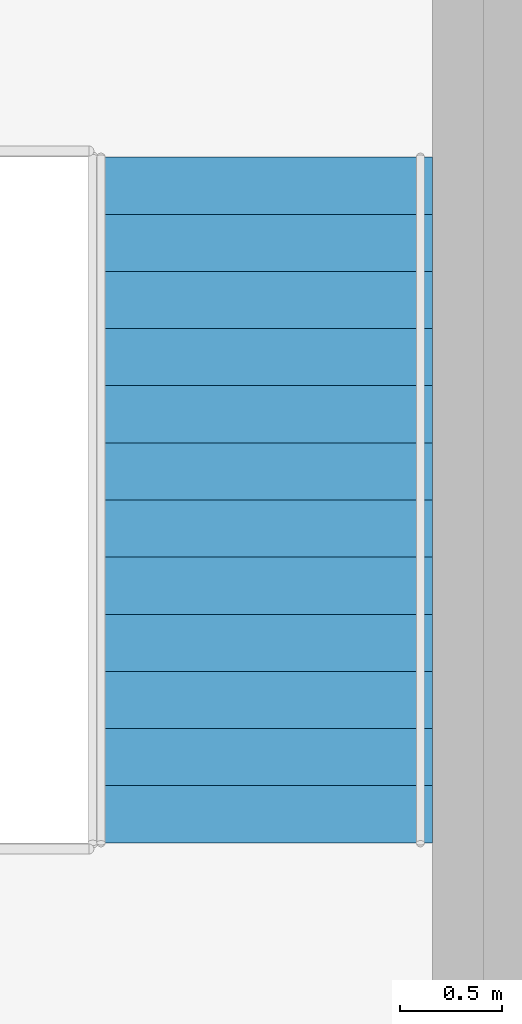
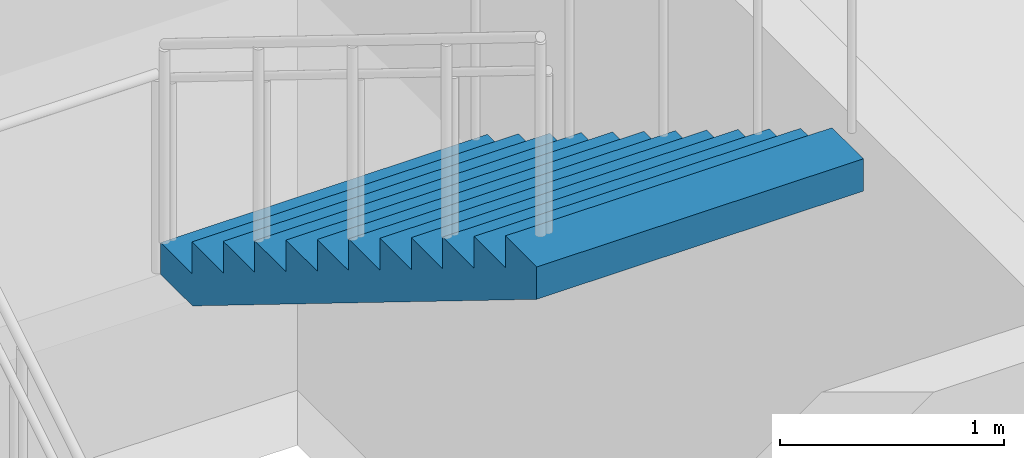
# One storey, part 13 of 16: 1 stair flight, 1 element without a shape of its own.
"""IFC4 building model written with IfcOpenShell, lengths in metres."""

from ifc_helpers import new_model, si_unit, direction, frame, origin, place, context, subcontext, project, spatial, triangles, material, type_object, element, aggregate, save


model = new_model("IFC4")

# Units and contexts
model_context = context("Model", 3, precision=1e-05, world=origin(), true_north=direction((0.0, 1.0)))
body_context = subcontext(model_context, "Body", "Model", "MODEL_VIEW")
ifc_project = project(units=[si_unit("LENGTHUNIT", "METRE"), si_unit("AREAUNIT", "SQUARE_METRE"), si_unit("VOLUMEUNIT", "CUBIC_METRE"), si_unit("PLANEANGLEUNIT", "RADIAN"), si_unit("MASSUNIT", "GRAM", prefix="KILO")], contexts=[model_context])

# Site, building, storey
site_placement = place(None, origin())
site = spatial("IfcSite", under=ifc_project, at=site_placement, CompositionType="ELEMENT")
building_placement = place(site_placement, origin())
building = spatial("IfcBuilding", under=site, at=building_placement, Name="Orbita Commons", CompositionType="ELEMENT")
storey_placement = place(building_placement, frame((0.0, 0.0, -4.5)))
storey = spatial("IfcBuildingStorey", under=building, at=storey_placement, Name="L-01", CompositionType="ELEMENT", Elevation=-4.5)

# Stair, stair flight
ifc_material_1 = material(Name="Precast concrete C40/50", Category="concrete")
stair_type = type_object("IfcStairType", Name="Podium exit stair 2 flights 13 risers 173", PredefinedType="HALF_TURN_STAIR", material=ifc_material_1)
stair_placement = place(storey_placement, origin())
stair = element("IfcStair", 1, at=stair_placement, inside=storey, type_object=stair_type, Name="Podium exit stair PS1 L-01", PredefinedType="HALF_TURN_STAIR")
ifc_material_2 = material(Name="Precast concrete C40/50", Category="concrete")
stair_flight_type = type_object("IfcStairFlightType", Name="Podium stair flight 13 risers 173 x 1685", PredefinedType="STRAIGHT", material=ifc_material_2)
stair_flight_placement = place(storey_placement, frame((10.4326171875, 33.179931640625, 2.25), z_axis=(0.0, 0.0, 1.0), x_axis=(0.0, -1.0, 0.0)))
stair_flight = element("IfcStairFlight", 2, at=stair_flight_placement, type_object=stair_flight_type, Name="PS1 flight 2", NumberOfRisers=13, NumberOfTreads=12, PredefinedType="STRAIGHT", RiserHeight=0.173076923, TreadLength=0.28, context=body_context, shape_type="Tessellation", body=[
    triangles([(0.0, 0.842529, 0.0), (0.0, 0.842529, 0.021635), (0.0, 0.702108, 0.021635), (0.0, 0.702108, 0.0), (0.0, 0.561686, 0.021635), (0.0, 0.561686, 0.0), (0.0, 0.421265, 0.021635), (0.0, 0.421265, 0.0), (0.0, 0.280843, 0.021635), (0.0, 0.280843, 0.0), (0.0, 0.140422, 0.021635), (0.0, 0.140422, 0.0), (0.0, 0.0, 0.021635), (0.0, 0.0, 0.0), (0.0, -0.140422, 0.021635), (0.0, -0.140422, 0.0), (0.0, -0.280843, 0.021635), (0.0, -0.280843, 0.0), (0.0, -0.421265, 0.021635), (0.0, -0.421265, 0.0), (0.0, -0.561686, 0.021635), (0.0, -0.561686, 0.0), (0.0, -0.702108, 0.021635), (0.0, -0.702108, 0.0), (0.0, -0.842529, 0.021635), (0.0, -0.842529, 0.0), (0.0, 0.842529, 0.043269), (0.0, 0.702108, 0.043269), (0.0, 0.561686, 0.043269), (0.0, 0.421265, 0.043269), (0.0, 0.280843, 0.043269), (0.0, 0.140422, 0.043269), (0.0, 0.0, 0.043269), (0.0, -0.140422, 0.043269), (0.0, -0.280843, 0.043269), (0.0, -0.421265, 0.043269), (0.0, -0.561686, 0.043269), (0.0, -0.702108, 0.043269), (0.0, -0.842529, 0.043269), (0.0, 0.842529, 0.064904), (0.0, 0.702108, 0.064904), (0.0, 0.561686, 0.064904), (0.0, 0.421265, 0.064904), (0.0, 0.280843, 0.064904), (0.0, 0.140422, 0.064904), (0.0, 0.0, 0.064904), (0.0, -0.140422, 0.064904), (0.0, -0.280843, 0.064904), (0.0, -0.421265, 0.064904), (0.0, -0.561686, 0.064904), (0.0, -0.702108, 0.064904), (0.0, -0.842529, 0.064904), (0.0, 0.842529, 0.086538), (0.0, 0.702108, 0.086538), (0.0, 0.561686, 0.086538), (0.0, 0.421265, 0.086538), (0.0, 0.280843, 0.086538), (0.0, 0.140422, 0.086538), (0.0, 0.0, 0.086538), (0.0, -0.140422, 0.086538), (0.0, -0.280843, 0.086538), (0.0, -0.421265, 0.086538), (0.0, -0.561686, 0.086538), (0.0, -0.702108, 0.086538), (0.0, -0.842529, 0.086538), (0.0, 0.842529, 0.108173), (0.0, 0.702108, 0.108173), (0.0, 0.561686, 0.108173), (0.0, 0.421265, 0.108173), (0.0, 0.280843, 0.108173), (0.0, 0.140422, 0.108173), (0.0, 0.0, 0.108173), (0.0, -0.140422, 0.108173), (0.0, -0.280843, 0.108173), (0.0, -0.421265, 0.108173), (0.0, -0.561686, 0.108173), (0.0, -0.702108, 0.108173), (0.0, -0.842529, 0.108173), (0.0, 0.842529, 0.129808), (0.0, 0.702108, 0.129808), (0.0, 0.561686, 0.129808), (0.0, 0.421265, 0.129808), (0.0, 0.280843, 0.129808), (0.0, 0.140422, 0.129808), (0.0, 0.0, 0.129808), (0.0, -0.140422, 0.129808), (0.0, -0.280843, 0.129808), (0.0, -0.421265, 0.129808), (0.0, -0.561686, 0.129808), (0.0, -0.702108, 0.129808), (0.0, -0.842529, 0.129808), (0.0, 0.842529, 0.151442), (0.0, 0.702108, 0.151442), (0.0, 0.561686, 0.151442), (0.0, 0.421265, 0.151442), (0.0, 0.280843, 0.151442), (0.0, 0.140422, 0.151442), (0.0, 0.0, 0.151442), (0.0, -0.140422, 0.151442), (0.0, -0.280843, 0.151442), (0.0, -0.421265, 0.151442), (0.0, -0.561686, 0.151442), (0.0, -0.702108, 0.151442), (0.0, -0.842529, 0.151442), (0.0, 0.842529, 0.173077), (0.0, 0.702108, 0.173077), (0.0, 0.561686, 0.173077), (0.0, 0.421265, 0.173077), (0.0, 0.280843, 0.173077), (0.0, 0.140422, 0.173077), (0.0, 0.0, 0.173077), (0.0, -0.140422, 0.173077), (0.0, -0.280843, 0.173077), (0.0, -0.421265, 0.173077), (0.0, -0.561686, 0.173077), (0.0, -0.702108, 0.173077), (0.0, -0.842529, 0.173077), (0.28, 0.842529, 0.173077), (0.28, 0.702108, 0.173077), (0.28, 0.561686, 0.173077), (0.28, 0.421265, 0.173077), (0.28, 0.280843, 0.173077), (0.28, 0.140422, 0.173077), (0.28, 0.0, 0.173077), (0.28, -0.140422, 0.173077), (0.28, -0.280843, 0.173077), (0.28, -0.421265, 0.173077), (0.28, -0.561686, 0.173077), (0.28, -0.702108, 0.173077), (0.28, -0.842529, 0.173077), (0.28, 0.842529, 0.346154), (0.28, 0.702108, 0.346154), (0.28, 0.561686, 0.346154), (0.28, 0.421265, 0.346154), (0.28, 0.280843, 0.346154), (0.28, 0.140422, 0.346154), (0.28, 0.0, 0.346154), (0.28, -0.140422, 0.346154), (0.28, -0.280843, 0.346154), (0.28, -0.421265, 0.346154), (0.28, -0.561686, 0.346154), (0.28, -0.702108, 0.346154), (0.28, -0.842529, 0.346154), (0.56, 0.842529, 0.346154), (0.56, 0.702108, 0.346154), (0.56, 0.561686, 0.346154), (0.56, 0.421265, 0.346154), (0.56, 0.280843, 0.346154), (0.56, 0.140422, 0.346154), (0.56, 0.0, 0.346154), (0.56, -0.140422, 0.346154), (0.56, -0.280843, 0.346154), (0.56, -0.421265, 0.346154), (0.56, -0.561686, 0.346154), (0.56, -0.702108, 0.346154), (0.56, -0.842529, 0.346154), (0.56, 0.842529, 0.519231), (0.56, 0.702108, 0.519231), (0.56, 0.561686, 0.519231), (0.56, 0.421265, 0.519231), (0.56, 0.280843, 0.519231), (0.56, 0.140422, 0.519231), (0.56, 0.0, 0.519231), (0.56, -0.140422, 0.519231), (0.56, -0.280843, 0.519231), (0.56, -0.421265, 0.519231), (0.56, -0.561686, 0.519231), (0.56, -0.702108, 0.519231), (0.56, -0.842529, 0.519231), (0.84, 0.842529, 0.519231), (0.84, 0.702108, 0.519231), (0.84, 0.561686, 0.519231), (0.84, 0.421265, 0.519231), (0.84, 0.280843, 0.519231), (0.84, 0.140422, 0.519231), (0.84, 0.0, 0.519231), (0.84, -0.140422, 0.519231), (0.84, -0.280843, 0.519231), (0.84, -0.421265, 0.519231), (0.84, -0.561686, 0.519231), (0.84, -0.702108, 0.519231), (0.84, -0.842529, 0.519231), (0.84, 0.842529, 0.692308), (0.84, 0.702108, 0.692308), (0.84, 0.561686, 0.692308), (0.84, 0.421265, 0.692308), (0.84, 0.280843, 0.692308), (0.84, 0.140422, 0.692308), (0.84, 0.0, 0.692308), (0.84, -0.140422, 0.692308), (0.84, -0.280843, 0.692308), (0.84, -0.421265, 0.692308), (0.84, -0.561686, 0.692308), (0.84, -0.702108, 0.692308), (0.84, -0.842529, 0.692308), (1.12, 0.842529, 0.692308), (1.12, 0.702108, 0.692308), (1.12, 0.561686, 0.692308), (1.12, 0.421265, 0.692308), (1.12, 0.280843, 0.692308), (1.12, 0.140422, 0.692308), (1.12, 0.0, 0.692308), (1.12, -0.140422, 0.692308), (1.12, -0.280843, 0.692308), (1.12, -0.421265, 0.692308), (1.12, -0.561686, 0.692308), (1.12, -0.702108, 0.692308), (1.12, -0.842529, 0.692308), (1.12, 0.842529, 0.865385), (1.12, 0.702108, 0.865385), (1.12, 0.561686, 0.865385), (1.12, 0.421265, 0.865385), (1.12, 0.280843, 0.865385), (1.12, 0.140422, 0.865385), (1.12, 0.0, 0.865385), (1.12, -0.140422, 0.865385), (1.12, -0.280843, 0.865385), (1.12, -0.421265, 0.865385), (1.12, -0.561686, 0.865385), (1.12, -0.702108, 0.865385), (1.12, -0.842529, 0.865385), (1.4, 0.842529, 0.865385), (1.4, 0.702108, 0.865385), (1.4, 0.561686, 0.865385), (1.4, 0.421265, 0.865385), (1.4, 0.280843, 0.865385), (1.4, 0.140422, 0.865385), (1.4, 0.0, 0.865385), (1.4, -0.140422, 0.865385), (1.4, -0.280843, 0.865385), (1.4, -0.421265, 0.865385), (1.4, -0.561686, 0.865385), (1.4, -0.702108, 0.865385), (1.4, -0.842529, 0.865385), (1.4, 0.842529, 1.038462), (1.4, 0.702108, 1.038462), (1.4, 0.561686, 1.038462), (1.4, 0.421265, 1.038462), (1.4, 0.280843, 1.038462), (1.4, 0.140422, 1.038462), (1.4, 0.0, 1.038462), (1.4, -0.140422, 1.038462), (1.4, -0.280843, 1.038462), (1.4, -0.421265, 1.038462), (1.4, -0.561686, 1.038462), (1.4, -0.702108, 1.038462), (1.4, -0.842529, 1.038462), (1.68, 0.842529, 1.038462), (1.68, 0.702108, 1.038462), (1.68, 0.561686, 1.038462), (1.68, 0.421265, 1.038462), (1.68, 0.280843, 1.038462), (1.68, 0.140422, 1.038462), (1.68, 0.0, 1.038462), (1.68, -0.140422, 1.038462), (1.68, -0.280843, 1.038462), (1.68, -0.421265, 1.038462), (1.68, -0.561686, 1.038462), (1.68, -0.702108, 1.038462), (1.68, -0.842529, 1.038462), (1.68, 0.842529, 1.211538), (1.68, 0.702108, 1.211538), (1.68, 0.561686, 1.211538), (1.68, 0.421265, 1.211538), (1.68, 0.280843, 1.211538), (1.68, 0.140422, 1.211538), (1.68, 0.0, 1.211538), (1.68, -0.140422, 1.211538), (1.68, -0.280843, 1.211538), (1.68, -0.421265, 1.211538), (1.68, -0.561686, 1.211538), (1.68, -0.702108, 1.211538), (1.68, -0.842529, 1.211538), (1.96, 0.842529, 1.211538), (1.96, 0.702108, 1.211538), (1.96, 0.561686, 1.211538), (1.96, 0.421265, 1.211538), (1.96, 0.280843, 1.211538), (1.96, 0.140422, 1.211538), (1.96, 0.0, 1.211538), (1.96, -0.140422, 1.211538), (1.96, -0.280843, 1.211538), (1.96, -0.421265, 1.211538), (1.96, -0.561686, 1.211538), (1.96, -0.702108, 1.211538), (1.96, -0.842529, 1.211538), (1.96, 0.842529, 1.384615), (1.96, 0.702108, 1.384615), (1.96, 0.561686, 1.384615), (1.96, 0.421265, 1.384615), (1.96, 0.280843, 1.384615), (1.96, 0.140422, 1.384615), (1.96, 0.0, 1.384615), (1.96, -0.140422, 1.384615), (1.96, -0.280843, 1.384615), (1.96, -0.421265, 1.384615), (1.96, -0.561686, 1.384615), (1.96, -0.702108, 1.384615), (1.96, -0.842529, 1.384615), (2.24, 0.842529, 1.384615), (2.24, 0.702108, 1.384615), (2.24, 0.561686, 1.384615), (2.24, 0.421265, 1.384615), (2.24, 0.280843, 1.384615), (2.24, 0.140422, 1.384615), (2.24, 0.0, 1.384615), (2.24, -0.140422, 1.384615), (2.24, -0.280843, 1.384615), (2.24, -0.421265, 1.384615), (2.24, -0.561686, 1.384615), (2.24, -0.702108, 1.384615), (2.24, -0.842529, 1.384615), (2.24, 0.842529, 1.557692), (2.24, 0.702108, 1.557692), (2.24, 0.561686, 1.557692), (2.24, 0.421265, 1.557692), (2.24, 0.280843, 1.557692), (2.24, 0.140422, 1.557692), (2.24, 0.0, 1.557692), (2.24, -0.140422, 1.557692), (2.24, -0.280843, 1.557692), (2.24, -0.421265, 1.557692), (2.24, -0.561686, 1.557692), (2.24, -0.702108, 1.557692), (2.24, -0.842529, 1.557692), (2.52, 0.842529, 1.557692), (2.52, 0.702108, 1.557692), (2.52, 0.561686, 1.557692), (2.52, 0.421265, 1.557692), (2.52, 0.280843, 1.557692), (2.52, 0.140422, 1.557692), (2.52, 0.0, 1.557692), (2.52, -0.140422, 1.557692), (2.52, -0.280843, 1.557692), (2.52, -0.421265, 1.557692), (2.52, -0.561686, 1.557692), (2.52, -0.702108, 1.557692), (2.52, -0.842529, 1.557692), (2.52, 0.842529, 1.730769), (2.52, 0.702108, 1.730769), (2.52, 0.561686, 1.730769), (2.52, 0.421265, 1.730769), (2.52, 0.280843, 1.730769), (2.52, 0.140422, 1.730769), (2.52, 0.0, 1.730769), (2.52, -0.140422, 1.730769), (2.52, -0.280843, 1.730769), (2.52, -0.421265, 1.730769), (2.52, -0.561686, 1.730769), (2.52, -0.702108, 1.730769), (2.52, -0.842529, 1.730769), (2.8, 0.842529, 1.730769), (2.8, 0.702108, 1.730769), (2.8, 0.561686, 1.730769), (2.8, 0.421265, 1.730769), (2.8, 0.280843, 1.730769), (2.8, 0.140422, 1.730769), (2.8, 0.0, 1.730769), (2.8, -0.140422, 1.730769), (2.8, -0.280843, 1.730769), (2.8, -0.421265, 1.730769), (2.8, -0.561686, 1.730769), (2.8, -0.702108, 1.730769), (2.8, -0.842529, 1.730769), (2.8, 0.842529, 1.903846), (2.8, 0.702108, 1.903846), (2.8, 0.561686, 1.903846), (2.8, 0.421265, 1.903846), (2.8, 0.280843, 1.903846), (2.8, 0.140422, 1.903846), (2.8, 0.0, 1.903846), (2.8, -0.140422, 1.903846), (2.8, -0.280843, 1.903846), (2.8, -0.421265, 1.903846), (2.8, -0.561686, 1.903846), (2.8, -0.702108, 1.903846), (2.8, -0.842529, 1.903846), (3.08, 0.842529, 1.903846), (3.08, 0.702108, 1.903846), (3.08, 0.561686, 1.903846), (3.08, 0.421265, 1.903846), (3.08, 0.280843, 1.903846), (3.08, 0.140422, 1.903846), (3.08, 0.0, 1.903846), (3.08, -0.140422, 1.903846), (3.08, -0.280843, 1.903846), (3.08, -0.421265, 1.903846), (3.08, -0.561686, 1.903846), (3.08, -0.702108, 1.903846), (3.08, -0.842529, 1.903846), (3.08, 0.842529, 2.076923), (3.08, 0.702108, 2.076923), (3.08, 0.561686, 2.076923), (3.08, 0.421265, 2.076923), (3.08, 0.280843, 2.076923), (3.08, 0.140422, 2.076923), (3.08, 0.0, 2.076923), (3.08, -0.140422, 2.076923), (3.08, -0.280843, 2.076923), (3.08, -0.421265, 2.076923), (3.08, -0.561686, 2.076923), (3.08, -0.702108, 2.076923), (3.08, -0.842529, 2.076923), (3.36, 0.842529, 2.076923), (3.36, 0.702108, 2.076923), (3.36, 0.561686, 2.076923), (3.36, 0.421265, 2.076923), (3.36, 0.280843, 2.076923), (3.36, 0.140422, 2.076923), (3.36, 0.0, 2.076923), (3.36, -0.140422, 2.076923), (3.36, -0.280843, 2.076923), (3.36, -0.421265, 2.076923), (3.36, -0.561686, 2.076923), (3.36, -0.702108, 2.076923), (3.36, -0.842529, 2.076923), (3.36, 0.842529, 2.054895), (3.36, 0.702108, 2.054895), (3.36, 0.561686, 2.054895), (3.36, 0.421265, 2.054895), (3.36, 0.280843, 2.054895), (3.36, 0.140422, 2.054895), (3.36, 0.0, 2.054895), (3.36, -0.140422, 2.054895), (3.36, -0.280843, 2.054895), (3.36, -0.421265, 2.054895), (3.36, -0.561686, 2.054895), (3.36, -0.702108, 2.054895), (3.36, -0.842529, 2.054895), (3.36, 0.842529, 2.032866), (3.36, 0.702108, 2.032866), (3.36, 0.561686, 2.032866), (3.36, 0.421265, 2.032866), (3.36, 0.280843, 2.032866), (3.36, 0.140422, 2.032866), (3.36, 0.0, 2.032866), (3.36, -0.140422, 2.032866), (3.36, -0.280843, 2.032866), (3.36, -0.421265, 2.032866), (3.36, -0.561686, 2.032866), (3.36, -0.702108, 2.032866), (3.36, -0.842529, 2.032866), (3.36, 0.842529, 2.010837), (3.36, 0.702108, 2.010837), (3.36, 0.561686, 2.010837), (3.36, 0.421265, 2.010837), (3.36, 0.280843, 2.010837), (3.36, 0.140422, 2.010837), (3.36, 0.0, 2.010837), (3.36, -0.140422, 2.010837), (3.36, -0.280843, 2.010837), (3.36, -0.421265, 2.010837), (3.36, -0.561686, 2.010837), (3.36, -0.702108, 2.010837), (3.36, -0.842529, 2.010837), (3.36, 0.842529, 1.988809), (3.36, 0.702108, 1.988809), (3.36, 0.561686, 1.988809), (3.36, 0.421265, 1.988809), (3.36, 0.280843, 1.988809), (3.36, 0.140422, 1.988809), (3.36, 0.0, 1.988809), (3.36, -0.140422, 1.988809), (3.36, -0.280843, 1.988809), (3.36, -0.421265, 1.988809), (3.36, -0.561686, 1.988809), (3.36, -0.702108, 1.988809), (3.36, -0.842529, 1.988809), (3.36, 0.842529, 1.96678), (3.36, 0.702108, 1.96678), (3.36, 0.561686, 1.96678), (3.36, 0.421265, 1.96678), (3.36, 0.280843, 1.96678), (3.36, 0.140422, 1.96678), (3.36, 0.0, 1.96678), (3.36, -0.140422, 1.96678), (3.36, -0.280843, 1.96678), (3.36, -0.421265, 1.96678), (3.36, -0.561686, 1.96678), (3.36, -0.702108, 1.96678), (3.36, -0.842529, 1.96678), (3.36, 0.842529, 1.944752), (3.36, 0.702108, 1.944752), (3.36, 0.561686, 1.944752), (3.36, 0.421265, 1.944752), (3.36, 0.280843, 1.944752), (3.36, 0.140422, 1.944752), (3.36, 0.0, 1.944752), (3.36, -0.140422, 1.944752), (3.36, -0.280843, 1.944752), (3.36, -0.421265, 1.944752), (3.36, -0.561686, 1.944752), (3.36, -0.702108, 1.944752), (3.36, -0.842529, 1.944752), (3.36, 0.842529, 1.922723), (3.36, 0.702108, 1.922723), (3.36, 0.561686, 1.922723), (3.36, 0.421265, 1.922723), (3.36, 0.280843, 1.922723), (3.36, 0.140422, 1.922723), (3.36, 0.0, 1.922723), (3.36, -0.140422, 1.922723), (3.36, -0.280843, 1.922723), (3.36, -0.421265, 1.922723), (3.36, -0.561686, 1.922723), (3.36, -0.702108, 1.922723), (3.36, -0.842529, 1.922723), (3.36, 0.842529, 1.900695), (3.36, 0.702108, 1.900695), (3.36, 0.561686, 1.900695), (3.36, 0.421265, 1.900695), (3.36, 0.280843, 1.900695), (3.36, 0.140422, 1.900695), (3.36, 0.0, 1.900695), (3.36, -0.140422, 1.900695), (3.36, -0.280843, 1.900695), (3.36, -0.421265, 1.900695), (3.36, -0.561686, 1.900695), (3.36, -0.702108, 1.900695), (3.36, -0.842529, 1.900695), (0.285099, 0.842529, 0.0), (0.285099, 0.702108, 0.0), (0.285099, 0.561686, 0.0), (0.285099, 0.421265, 0.0), (0.285099, 0.280843, 0.0), (0.285099, 0.140422, 0.0), (0.285099, 0.0, 0.0), (0.285099, -0.140422, 0.0), (0.285099, -0.280843, 0.0), (0.285099, -0.421265, 0.0), (0.285099, -0.561686, 0.0), (0.285099, -0.702108, 0.0), (0.285099, -0.842529, 0.0)], [[3, 2, 1], [4, 3, 1], [5, 3, 4], [6, 5, 4], [7, 5, 6], [8, 7, 6], [9, 7, 8], [10, 9, 8], [11, 9, 10], [12, 11, 10], [13, 11, 12], [14, 13, 12], [15, 13, 14], [16, 15, 14], [17, 15, 16], [18, 17, 16], [19, 17, 18], [20, 19, 18], [21, 19, 20], [22, 21, 20], [23, 21, 22], [24, 23, 22], [25, 23, 24], [26, 25, 24], [28, 27, 2], [3, 28, 2], [29, 28, 3], [5, 29, 3], [30, 29, 5], [7, 30, 5], [31, 30, 7], [9, 31, 7], [32, 31, 9], [11, 32, 9], [33, 32, 11], [13, 33, 11], [34, 33, 13], [15, 34, 13], [35, 34, 15], [17, 35, 15], [36, 35, 17], [19, 36, 17], [37, 36, 19], [21, 37, 19], [38, 37, 21], [23, 38, 21], [39, 38, 23], [25, 39, 23], [41, 40, 27], [28, 41, 27], [42, 41, 28], [29, 42, 28], [43, 42, 29], [30, 43, 29], [44, 43, 30], [31, 44, 30], [45, 44, 31], [32, 45, 31], [46, 45, 32], [33, 46, 32], [47, 46, 33], [34, 47, 33], [48, 47, 34], [35, 48, 34], [49, 48, 35], [36, 49, 35], [50, 49, 36], [37, 50, 36], [51, 50, 37], [38, 51, 37], [52, 51, 38], [39, 52, 38], [54, 53, 40], [41, 54, 40], [55, 54, 41], [42, 55, 41], [56, 55, 42], [43, 56, 42], [57, 56, 43], [44, 57, 43], [58, 57, 44], [45, 58, 44], [59, 58, 45], [46, 59, 45], [60, 59, 46], [47, 60, 46], [61, 60, 47], [48, 61, 47], [62, 61, 48], [49, 62, 48], [63, 62, 49], [50, 63, 49], [64, 63, 50], [51, 64, 50], [65, 64, 51], [52, 65, 51], [67, 66, 53], [54, 67, 53], [68, 67, 54], [55, 68, 54], [69, 68, 55], [56, 69, 55], [70, 69, 56], [57, 70, 56], [71, 70, 57], [58, 71, 57], [72, 71, 58], [59, 72, 58], [73, 72, 59], [60, 73, 59], [74, 73, 60], [61, 74, 60], [75, 74, 61], [62, 75, 61], [76, 75, 62], [63, 76, 62], [77, 76, 63], [64, 77, 63], [78, 77, 64], [65, 78, 64], [80, 79, 66], [67, 80, 66], [81, 80, 67], [68, 81, 67], [82, 81, 68], [69, 82, 68], [83, 82, 69], [70, 83, 69], [84, 83, 70], [71, 84, 70], [85, 84, 71], [72, 85, 71], [86, 85, 72], [73, 86, 72], [87, 86, 73], [74, 87, 73], [88, 87, 74], [75, 88, 74], [89, 88, 75], [76, 89, 75], [90, 89, 76], [77, 90, 76], [91, 90, 77], [78, 91, 77], [93, 92, 79], [80, 93, 79], [94, 93, 80], [81, 94, 80], [95, 94, 81], [82, 95, 81], [96, 95, 82], [83, 96, 82], [97, 96, 83], [84, 97, 83], [98, 97, 84], [85, 98, 84], [99, 98, 85], [86, 99, 85], [100, 99, 86], [87, 100, 86], [101, 100, 87], [88, 101, 87], [102, 101, 88], [89, 102, 88], [103, 102, 89], [90, 103, 89], [104, 103, 90], [91, 104, 90], [106, 105, 92], [93, 106, 92], [107, 106, 93], [94, 107, 93], [108, 107, 94], [95, 108, 94], [109, 108, 95], [96, 109, 95], [110, 109, 96], [97, 110, 96], [111, 110, 97], [98, 111, 97], [112, 111, 98], [99, 112, 98], [113, 112, 99], [100, 113, 99], [114, 113, 100], [101, 114, 100], [115, 114, 101], [102, 115, 101], [116, 115, 102], [103, 116, 102], [117, 116, 103], [104, 117, 103], [119, 118, 105], [106, 119, 105], [120, 119, 106], [107, 120, 106], [121, 120, 107], [108, 121, 107], [122, 121, 108], [109, 122, 108], [123, 122, 109], [110, 123, 109], [124, 123, 110], [111, 124, 110], [125, 124, 111], [112, 125, 111], [126, 125, 112], [113, 126, 112], [127, 126, 113], [114, 127, 113], [128, 127, 114], [115, 128, 114], [129, 128, 115], [116, 129, 115], [130, 129, 116], [117, 130, 116], [132, 131, 118], [119, 132, 118], [133, 132, 119], [120, 133, 119], [134, 133, 120], [121, 134, 120], [135, 134, 121], [122, 135, 121], [136, 135, 122], [123, 136, 122], [137, 136, 123], [124, 137, 123], [138, 137, 124], [125, 138, 124], [139, 138, 125], [126, 139, 125], [140, 139, 126], [127, 140, 126], [141, 140, 127], [128, 141, 127], [142, 141, 128], [129, 142, 128], [143, 142, 129], [130, 143, 129], [145, 144, 131], [132, 145, 131], [146, 145, 132], [133, 146, 132], [147, 146, 133], [134, 147, 133], [148, 147, 134], [135, 148, 134], [149, 148, 135], [136, 149, 135], [150, 149, 136], [137, 150, 136], [151, 150, 137], [138, 151, 137], [152, 151, 138], [139, 152, 138], [153, 152, 139], [140, 153, 139], [154, 153, 140], [141, 154, 140], [155, 154, 141], [142, 155, 141], [156, 155, 142], [143, 156, 142], [158, 157, 144], [145, 158, 144], [159, 158, 145], [146, 159, 145], [160, 159, 146], [147, 160, 146], [161, 160, 147], [148, 161, 147], [162, 161, 148], [149, 162, 148], [163, 162, 149], [150, 163, 149], [164, 163, 150], [151, 164, 150], [165, 164, 151], [152, 165, 151], [166, 165, 152], [153, 166, 152], [167, 166, 153], [154, 167, 153], [168, 167, 154], [155, 168, 154], [169, 168, 155], [156, 169, 155], [171, 170, 157], [158, 171, 157], [172, 171, 158], [159, 172, 158], [173, 172, 159], [160, 173, 159], [174, 173, 160], [161, 174, 160], [175, 174, 161], [162, 175, 161], [176, 175, 162], [163, 176, 162], [177, 176, 163], [164, 177, 163], [178, 177, 164], [165, 178, 164], [179, 178, 165], [166, 179, 165], [180, 179, 166], [167, 180, 166], [181, 180, 167], [168, 181, 167], [182, 181, 168], [169, 182, 168], [184, 183, 170], [171, 184, 170], [185, 184, 171], [172, 185, 171], [186, 185, 172], [173, 186, 172], [187, 186, 173], [174, 187, 173], [188, 187, 174], [175, 188, 174], [189, 188, 175], [176, 189, 175], [190, 189, 176], [177, 190, 176], [191, 190, 177], [178, 191, 177], [192, 191, 178], [179, 192, 178], [193, 192, 179], [180, 193, 179], [194, 193, 180], [181, 194, 180], [195, 194, 181], [182, 195, 181], [197, 196, 183], [184, 197, 183], [198, 197, 184], [185, 198, 184], [199, 198, 185], [186, 199, 185], [200, 199, 186], [187, 200, 186], [201, 200, 187], [188, 201, 187], [202, 201, 188], [189, 202, 188], [203, 202, 189], [190, 203, 189], [204, 203, 190], [191, 204, 190], [205, 204, 191], [192, 205, 191], [206, 205, 192], [193, 206, 192], [207, 206, 193], [194, 207, 193], [208, 207, 194], [195, 208, 194], [210, 209, 196], [197, 210, 196], [211, 210, 197], [198, 211, 197], [212, 211, 198], [199, 212, 198], [213, 212, 199], [200, 213, 199], [214, 213, 200], [201, 214, 200], [215, 214, 201], [202, 215, 201], [216, 215, 202], [203, 216, 202], [217, 216, 203], [204, 217, 203], [218, 217, 204], [205, 218, 204], [219, 218, 205], [206, 219, 205], [220, 219, 206], [207, 220, 206], [221, 220, 207], [208, 221, 207], [223, 222, 209], [210, 223, 209], [224, 223, 210], [211, 224, 210], [225, 224, 211], [212, 225, 211], [226, 225, 212], [213, 226, 212], [227, 226, 213], [214, 227, 213], [228, 227, 214], [215, 228, 214], [229, 228, 215], [216, 229, 215], [230, 229, 216], [217, 230, 216], [231, 230, 217], [218, 231, 217], [232, 231, 218], [219, 232, 218], [233, 232, 219], [220, 233, 219], [234, 233, 220], [221, 234, 220], [236, 235, 222], [223, 236, 222], [237, 236, 223], [224, 237, 223], [238, 237, 224], [225, 238, 224], [239, 238, 225], [226, 239, 225], [240, 239, 226], [227, 240, 226], [241, 240, 227], [228, 241, 227], [242, 241, 228], [229, 242, 228], [243, 242, 229], [230, 243, 229], [244, 243, 230], [231, 244, 230], [245, 244, 231], [232, 245, 231], [246, 245, 232], [233, 246, 232], [247, 246, 233], [234, 247, 233], [249, 248, 235], [236, 249, 235], [250, 249, 236], [237, 250, 236], [251, 250, 237], [238, 251, 237], [252, 251, 238], [239, 252, 238], [253, 252, 239], [240, 253, 239], [254, 253, 240], [241, 254, 240], [255, 254, 241], [242, 255, 241], [256, 255, 242], [243, 256, 242], [257, 256, 243], [244, 257, 243], [258, 257, 244], [245, 258, 244], [259, 258, 245], [246, 259, 245], [260, 259, 246], [247, 260, 246], [262, 261, 248], [249, 262, 248], [263, 262, 249], [250, 263, 249], [264, 263, 250], [251, 264, 250], [265, 264, 251], [252, 265, 251], [266, 265, 252], [253, 266, 252], [267, 266, 253], [254, 267, 253], [268, 267, 254], [255, 268, 254], [269, 268, 255], [256, 269, 255], [270, 269, 256], [257, 270, 256], [271, 270, 257], [258, 271, 257], [272, 271, 258], [259, 272, 258], [273, 272, 259], [260, 273, 259], [275, 274, 261], [262, 275, 261], [276, 275, 262], [263, 276, 262], [277, 276, 263], [264, 277, 263], [278, 277, 264], [265, 278, 264], [279, 278, 265], [266, 279, 265], [280, 279, 266], [267, 280, 266], [281, 280, 267], [268, 281, 267], [282, 281, 268], [269, 282, 268], [283, 282, 269], [270, 283, 269], [284, 283, 270], [271, 284, 270], [285, 284, 271], [272, 285, 271], [286, 285, 272], [273, 286, 272], [288, 287, 274], [275, 288, 274], [289, 288, 275], [276, 289, 275], [290, 289, 276], [277, 290, 276], [291, 290, 277], [278, 291, 277], [292, 291, 278], [279, 292, 278], [293, 292, 279], [280, 293, 279], [294, 293, 280], [281, 294, 280], [295, 294, 281], [282, 295, 281], [296, 295, 282], [283, 296, 282], [297, 296, 283], [284, 297, 283], [298, 297, 284], [285, 298, 284], [299, 298, 285], [286, 299, 285], [301, 300, 287], [288, 301, 287], [302, 301, 288], [289, 302, 288], [303, 302, 289], [290, 303, 289], [304, 303, 290], [291, 304, 290], [305, 304, 291], [292, 305, 291], [306, 305, 292], [293, 306, 292], [307, 306, 293], [294, 307, 293], [308, 307, 294], [295, 308, 294], [309, 308, 295], [296, 309, 295], [310, 309, 296], [297, 310, 296], [311, 310, 297], [298, 311, 297], [312, 311, 298], [299, 312, 298], [314, 313, 300], [301, 314, 300], [315, 314, 301], [302, 315, 301], [316, 315, 302], [303, 316, 302], [317, 316, 303], [304, 317, 303], [318, 317, 304], [305, 318, 304], [319, 318, 305], [306, 319, 305], [320, 319, 306], [307, 320, 306], [321, 320, 307], [308, 321, 307], [322, 321, 308], [309, 322, 308], [323, 322, 309], [310, 323, 309], [324, 323, 310], [311, 324, 310], [325, 324, 311], [312, 325, 311], [327, 326, 313], [314, 327, 313], [328, 327, 314], [315, 328, 314], [329, 328, 315], [316, 329, 315], [330, 329, 316], [317, 330, 316], [331, 330, 317], [318, 331, 317], [332, 331, 318], [319, 332, 318], [333, 332, 319], [320, 333, 319], [334, 333, 320], [321, 334, 320], [335, 334, 321], [322, 335, 321], [336, 335, 322], [323, 336, 322], [337, 336, 323], [324, 337, 323], [338, 337, 324], [325, 338, 324], [340, 339, 326], [327, 340, 326], [341, 340, 327], [328, 341, 327], [342, 341, 328], [329, 342, 328], [343, 342, 329], [330, 343, 329], [344, 343, 330], [331, 344, 330], [345, 344, 331], [332, 345, 331], [346, 345, 332], [333, 346, 332], [347, 346, 333], [334, 347, 333], [348, 347, 334], [335, 348, 334], [349, 348, 335], [336, 349, 335], [350, 349, 336], [337, 350, 336], [351, 350, 337], [338, 351, 337], [353, 352, 339], [340, 353, 339], [354, 353, 340], [341, 354, 340], [355, 354, 341], [342, 355, 341], [356, 355, 342], [343, 356, 342], [357, 356, 343], [344, 357, 343], [358, 357, 344], [345, 358, 344], [359, 358, 345], [346, 359, 345], [360, 359, 346], [347, 360, 346], [361, 360, 347], [348, 361, 347], [362, 361, 348], [349, 362, 348], [363, 362, 349], [350, 363, 349], [364, 363, 350], [351, 364, 350], [366, 365, 352], [353, 366, 352], [367, 366, 353], [354, 367, 353], [368, 367, 354], [355, 368, 354], [369, 368, 355], [356, 369, 355], [370, 369, 356], [357, 370, 356], [371, 370, 357], [358, 371, 357], [372, 371, 358], [359, 372, 358], [373, 372, 359], [360, 373, 359], [374, 373, 360], [361, 374, 360], [375, 374, 361], [362, 375, 361], [376, 375, 362], [363, 376, 362], [377, 376, 363], [364, 377, 363], [379, 378, 365], [366, 379, 365], [380, 379, 366], [367, 380, 366], [381, 380, 367], [368, 381, 367], [382, 381, 368], [369, 382, 368], [383, 382, 369], [370, 383, 369], [384, 383, 370], [371, 384, 370], [385, 384, 371], [372, 385, 371], [386, 385, 372], [373, 386, 372], [387, 386, 373], [374, 387, 373], [388, 387, 374], [375, 388, 374], [389, 388, 375], [376, 389, 375], [390, 389, 376], [377, 390, 376], [392, 391, 378], [379, 392, 378], [393, 392, 379], [380, 393, 379], [394, 393, 380], [381, 394, 380], [395, 394, 381], [382, 395, 381], [396, 395, 382], [383, 396, 382], [397, 396, 383], [384, 397, 383], [398, 397, 384], [385, 398, 384], [399, 398, 385], [386, 399, 385], [400, 399, 386], [387, 400, 386], [401, 400, 387], [388, 401, 387], [402, 401, 388], [389, 402, 388], [403, 402, 389], [390, 403, 389], [405, 404, 391], [392, 405, 391], [406, 405, 392], [393, 406, 392], [407, 406, 393], [394, 407, 393], [408, 407, 394], [395, 408, 394], [409, 408, 395], [396, 409, 395], [410, 409, 396], [397, 410, 396], [411, 410, 397], [398, 411, 397], [412, 411, 398], [399, 412, 398], [413, 412, 399], [400, 413, 399], [414, 413, 400], [401, 414, 400], [415, 414, 401], [402, 415, 401], [416, 415, 402], [403, 416, 402], [418, 417, 404], [405, 418, 404], [419, 418, 405], [406, 419, 405], [420, 419, 406], [407, 420, 406], [421, 420, 407], [408, 421, 407], [422, 421, 408], [409, 422, 408], [423, 422, 409], [410, 423, 409], [424, 423, 410], [411, 424, 410], [425, 424, 411], [412, 425, 411], [426, 425, 412], [413, 426, 412], [427, 426, 413], [414, 427, 413], [428, 427, 414], [415, 428, 414], [429, 428, 415], [416, 429, 415], [431, 430, 417], [418, 431, 417], [432, 431, 418], [419, 432, 418], [433, 432, 419], [420, 433, 419], [434, 433, 420], [421, 434, 420], [435, 434, 421], [422, 435, 421], [436, 435, 422], [423, 436, 422], [437, 436, 423], [424, 437, 423], [438, 437, 424], [425, 438, 424], [439, 438, 425], [426, 439, 425], [440, 439, 426], [427, 440, 426], [441, 440, 427], [428, 441, 427], [442, 441, 428], [429, 442, 428], [444, 443, 430], [431, 444, 430], [445, 444, 431], [432, 445, 431], [446, 445, 432], [433, 446, 432], [447, 446, 433], [434, 447, 433], [448, 447, 434], [435, 448, 434], [449, 448, 435], [436, 449, 435], [450, 449, 436], [437, 450, 436], [451, 450, 437], [438, 451, 437], [452, 451, 438], [439, 452, 438], [453, 452, 439], [440, 453, 439], [454, 453, 440], [441, 454, 440], [455, 454, 441], [442, 455, 441], [457, 456, 443], [444, 457, 443], [458, 457, 444], [445, 458, 444], [459, 458, 445], [446, 459, 445], [460, 459, 446], [447, 460, 446], [461, 460, 447], [448, 461, 447], [462, 461, 448], [449, 462, 448], [463, 462, 449], [450, 463, 449], [464, 463, 450], [451, 464, 450], [465, 464, 451], [452, 465, 451], [466, 465, 452], [453, 466, 452], [467, 466, 453], [454, 467, 453], [468, 467, 454], [455, 468, 454], [470, 469, 456], [457, 470, 456], [471, 470, 457], [458, 471, 457], [472, 471, 458], [459, 472, 458], [473, 472, 459], [460, 473, 459], [474, 473, 460], [461, 474, 460], [475, 474, 461], [462, 475, 461], [476, 475, 462], [463, 476, 462], [477, 476, 463], [464, 477, 463], [478, 477, 464], [465, 478, 464], [479, 478, 465], [466, 479, 465], [480, 479, 466], [467, 480, 466], [481, 480, 467], [468, 481, 467], [483, 482, 469], [470, 483, 469], [484, 483, 470], [471, 484, 470], [485, 484, 471], [472, 485, 471], [486, 485, 472], [473, 486, 472], [487, 486, 473], [474, 487, 473], [488, 487, 474], [475, 488, 474], [489, 488, 475], [476, 489, 475], [490, 489, 476], [477, 490, 476], [491, 490, 477], [478, 491, 477], [492, 491, 478], [479, 492, 478], [493, 492, 479], [480, 493, 479], [494, 493, 480], [481, 494, 480], [496, 495, 482], [483, 496, 482], [497, 496, 483], [484, 497, 483], [498, 497, 484], [485, 498, 484], [499, 498, 485], [486, 499, 485], [500, 499, 486], [487, 500, 486], [501, 500, 487], [488, 501, 487], [502, 501, 488], [489, 502, 488], [503, 502, 489], [490, 503, 489], [504, 503, 490], [491, 504, 490], [505, 504, 491], [492, 505, 491], [506, 505, 492], [493, 506, 492], [507, 506, 493], [494, 507, 493], [509, 508, 495], [496, 509, 495], [510, 509, 496], [497, 510, 496], [511, 510, 497], [498, 511, 497], [512, 511, 498], [499, 512, 498], [513, 512, 499], [500, 513, 499], [514, 513, 500], [501, 514, 500], [515, 514, 501], [502, 515, 501], [516, 515, 502], [503, 516, 502], [517, 516, 503], [504, 517, 503], [518, 517, 504], [505, 518, 504], [519, 518, 505], [506, 519, 505], [520, 519, 506], [507, 520, 506], [522, 521, 508], [509, 522, 508], [523, 522, 509], [510, 523, 509], [524, 523, 510], [511, 524, 510], [525, 524, 511], [512, 525, 511], [526, 525, 512], [513, 526, 512], [527, 526, 513], [514, 527, 513], [528, 527, 514], [515, 528, 514], [529, 528, 515], [516, 529, 515], [530, 529, 516], [517, 530, 516], [531, 530, 517], [518, 531, 517], [532, 531, 518], [519, 532, 518], [533, 532, 519], [520, 533, 519], [4, 1, 521], [522, 4, 521], [6, 4, 522], [523, 6, 522], [8, 6, 523], [524, 8, 523], [10, 8, 524], [525, 10, 524], [12, 10, 525], [526, 12, 525], [14, 12, 526], [527, 14, 526], [16, 14, 527], [528, 16, 527], [18, 16, 528], [529, 18, 528], [20, 18, 529], [530, 20, 529], [22, 20, 530], [531, 22, 530], [24, 22, 531], [532, 24, 531], [26, 24, 532], [533, 26, 532], [508, 521, 1], [26, 533, 520], [495, 508, 1], [26, 520, 507], [482, 495, 1], [26, 507, 494], [469, 482, 1], [26, 494, 481], [456, 469, 1], [26, 481, 468], [443, 456, 1], [26, 468, 455], [430, 443, 1], [26, 455, 442], [417, 430, 1], [26, 442, 429], [391, 404, 417], [429, 416, 403], [378, 391, 417], [429, 403, 390], [352, 365, 378], [390, 377, 364], [352, 378, 417], [429, 390, 364], [326, 339, 352], [364, 351, 338], [326, 352, 417], [429, 364, 338], [300, 313, 326], [338, 325, 312], [300, 326, 417], [429, 338, 312], [274, 287, 300], [312, 299, 286], [274, 300, 417], [429, 312, 286], [248, 261, 274], [286, 273, 260], [248, 274, 417], [429, 286, 260], [222, 235, 248], [260, 247, 234], [222, 248, 417], [429, 260, 234], [196, 209, 222], [234, 221, 208], [196, 222, 417], [429, 234, 208], [170, 183, 196], [208, 195, 182], [170, 196, 417], [429, 208, 182], [144, 157, 170], [182, 169, 156], [144, 170, 417], [429, 182, 156], [118, 131, 144], [156, 143, 130], [118, 144, 417], [429, 156, 130], [118, 417, 1], [26, 429, 130], [92, 105, 118], [130, 117, 104], [79, 92, 118], [130, 104, 91], [66, 79, 118], [130, 91, 78], [53, 66, 118], [130, 78, 65], [40, 53, 118], [130, 65, 52], [27, 40, 118], [130, 52, 39], [2, 27, 118], [130, 39, 25], [1, 2, 118], [130, 25, 26]], closed=True),
])
aggregate(stair, [stair_flight])

save(model, "model.ifc")
